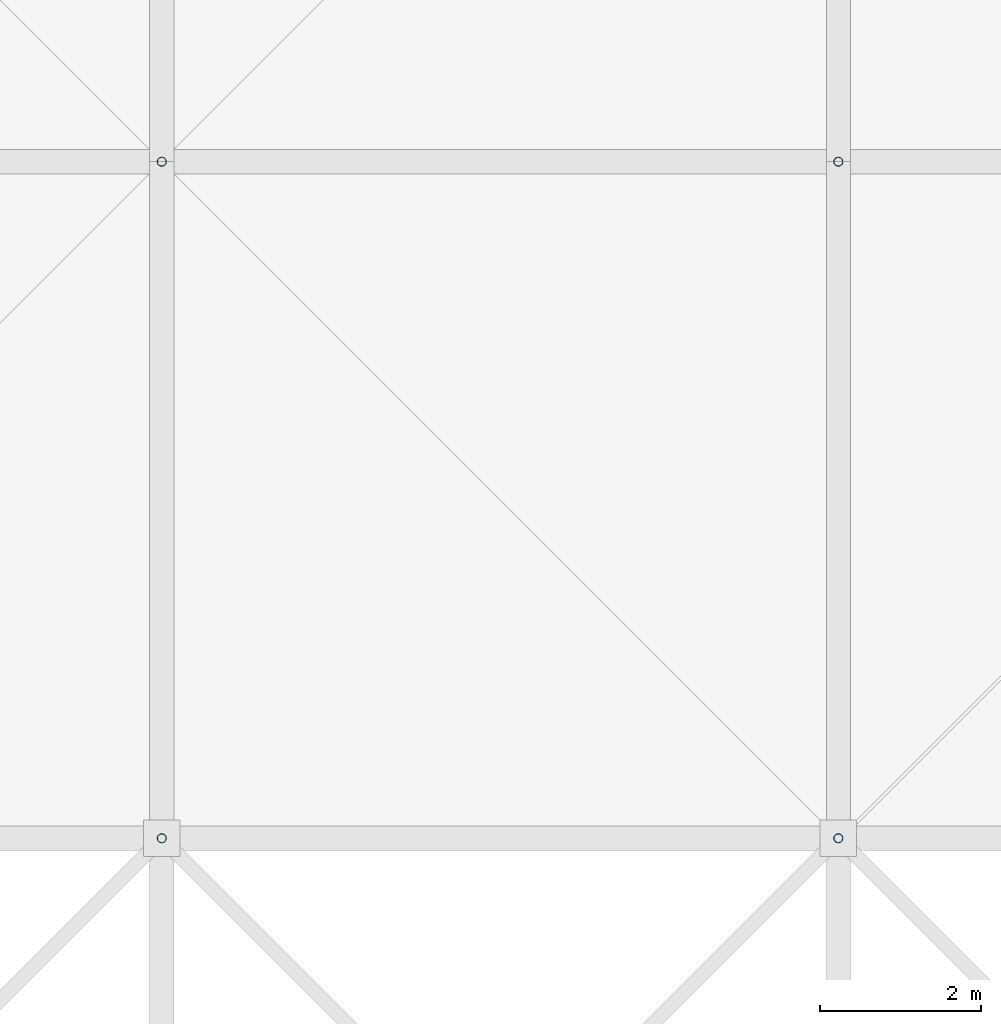
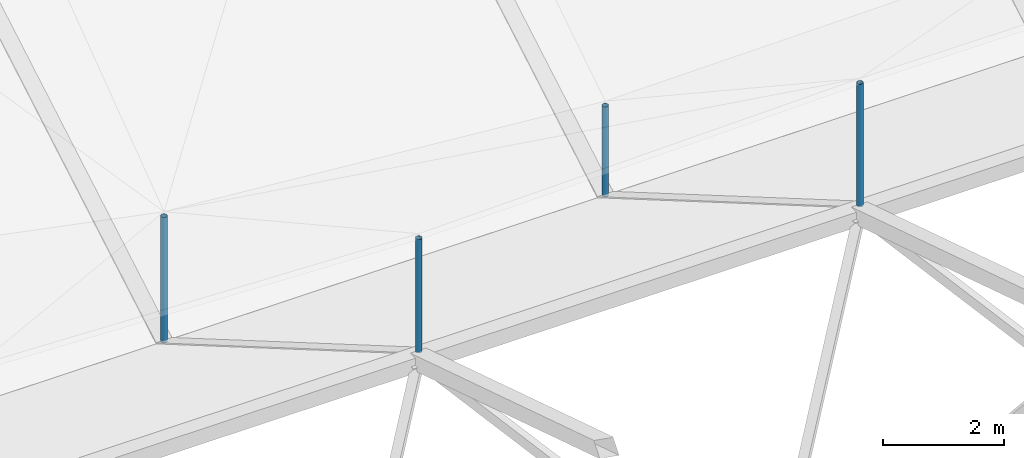
# One storey, part 83 of 111: 4 discrete accessories.
"""IFC4 building model written with IfcOpenShell, lengths in metres."""

import ifcopenshell
import ifcopenshell.guid

model = None  # the IFC model being written
_history = None  # IfcOwnerHistory: only IFC2X3 demands one
_inside = {}  # id of a spatial element -> (the spatial element, [elements in it])
_under = {}  # id of a project, library or spatial element -> (it, [spatial elements below it])
_declared = {}  # id of a project -> (the project, [libraries it declares])
_typed = {}  # id of a type object -> (the type object, [elements of that type])
_made_of = {}  # id of a material, layer set ... -> (it, [elements and type objects made of it])


def new_model(schema):
    """Start an empty IFC model of exactly this schema.

    Asked for "IFC4X3", IfcOpenShell would pick the latest addendum, in which some entities
    have other attributes; the version numbers below select the first issue.
    IFC2X3 requires an IfcOwnerHistory on every rooted entity: one is made here for all.
    """
    global model, _history
    if schema == "IFC4X3":
        model = ifcopenshell.file(schema_version=(4, 3, 0, 0))
    else:
        model = ifcopenshell.file(schema=schema)
    _inside.clear()
    _under.clear()
    _declared.clear()
    _typed.clear()
    _made_of.clear()
    _history = None
    if model.schema == "IFC2X3":
        org = make("IfcOrganization", Name="unknown")
        user = make(
            "IfcPersonAndOrganization",
            ThePerson=make("IfcPerson", FamilyName="unknown"),
            TheOrganization=org,
        )
        app = make(
            "IfcApplication",
            ApplicationDeveloper=org,
            Version="unknown",
            ApplicationFullName="unknown",
            ApplicationIdentifier="unknown",
        )
        _history = make(
            "IfcOwnerHistory",
            OwningUser=user,
            OwningApplication=app,
            ChangeAction="ADDED",
            CreationDate=0,
        )
    return model


def make(cls, **values):
    """One entity of the class cls with the attributes given. An attribute that is None is left unset."""
    return model.create_entity(
        cls, **{name: value for name, value in values.items() if value is not None}
    )


def rooted(cls, **values):
    """An entity with a GlobalId (a new one), such as an element, a storey or a relation."""
    return make(cls, GlobalId=ifcopenshell.guid.new(), OwnerHistory=_history, **values)


def si_unit(unit_type, name, prefix=None):
    """IfcSIUnit, for example si_unit("LENGTHUNIT", "METRE", prefix="MILLI")."""
    return make("IfcSIUnit", UnitType=unit_type, Prefix=prefix, Name=name)


def assignment(units):
    """IfcUnitAssignment: the units of a project."""
    return None if units is None else make("IfcUnitAssignment", Units=units)


def point(xyz):
    """IfcCartesianPoint."""
    return None if xyz is None else make("IfcCartesianPoint", Coordinates=xyz)


def direction(xyz):
    """IfcDirection."""
    return None if xyz is None else make("IfcDirection", DirectionRatios=xyz)


def frame(location, z_axis=None, x_axis=None):
    """IfcAxis2Placement3D, a coordinate frame: its origin and axes. An axis left out is left unset."""
    return make(
        "IfcAxis2Placement3D",
        Location=point(location),
        Axis=direction(z_axis),
        RefDirection=direction(x_axis),
    )


def frame_2d(location, x_axis=None):
    """IfcAxis2Placement2D, a coordinate frame in the plane: its origin and x axis."""
    return make(
        "IfcAxis2Placement2D", Location=point(location), RefDirection=direction(x_axis)
    )


def origin():
    """The frame at (0, 0, 0) with its axes left unset."""
    return frame((0.0, 0.0, 0.0))


def origin_2d():
    """The frame at (0, 0) in the plane with its x axis left unset."""
    return frame_2d((0.0, 0.0))


def place(relative_to, where):
    """IfcLocalPlacement: puts the frame where relative to a parent placement (None: the world)."""
    return make(
        "IfcLocalPlacement", PlacementRelTo=relative_to, RelativePlacement=where
    )


def context(
    kind, dimensions, precision=None, world=None, true_north=None, identifier=None
):
    """IfcGeometricRepresentationContext, for example the 3D "Model" context."""
    return make(
        "IfcGeometricRepresentationContext",
        ContextIdentifier=identifier,
        ContextType=kind,
        CoordinateSpaceDimension=dimensions,
        Precision=precision,
        WorldCoordinateSystem=world,
        TrueNorth=true_north,
    )


def subcontext(parent, identifier, kind, view, scale=None):
    """IfcGeometricRepresentationSubContext, for example "Body" below "Model"."""
    return make(
        "IfcGeometricRepresentationSubContext",
        ContextIdentifier=identifier,
        ContextType=kind,
        ParentContext=parent,
        TargetScale=scale,
        TargetView=view,
    )


def project(units=None, contexts=None):
    """IfcProject with its units and contexts."""
    return rooted(
        "IfcProject",
        Name="project",
        RepresentationContexts=contexts,
        UnitsInContext=assignment(units),
    )


def spatial(cls, under=None, at=None, **own):
    """A site, building, storey or space (cls), placed at a placement, below another one or the project."""
    s = rooted(cls, ObjectPlacement=at, **own)
    if under is not None:
        _under.setdefault(under.id(), (under, []))[1].append(s)
    return s


def profile(cls, at=None, kind="AREA", **sizes):
    """A parametric profile (cls). Its sizes go by their IFC names, for example OverallWidth=200.0."""
    return make(cls, ProfileType=kind, Position=at, **sizes)


def hollow_circle(**sizes):
    """IfcCircleHollowProfileDef."""
    return profile("IfcCircleHollowProfileDef", **sizes)


def extrude(swept, where, along, depth):
    """IfcExtrudedAreaSolid: the profile swept, set in the frame where, extruded along a direction by depth."""
    return make(
        "IfcExtrudedAreaSolid",
        SweptArea=swept,
        Position=where,
        ExtrudedDirection=direction(along),
        Depth=depth,
    )


def shape(context_of_items, identifier, shape_type, items):
    """IfcShapeRepresentation: the items that make up one representation, for example the "Body"."""
    return make(
        "IfcShapeRepresentation",
        ContextOfItems=context_of_items,
        RepresentationIdentifier=identifier,
        RepresentationType=shape_type,
        Items=items,
    )


def material(Name=None, Category=None):
    """IfcMaterial."""
    return make("IfcMaterial", Name=Name, Category=Category)


def material_profile(
    of_material, cross_section, Name=None, Category=None, Priority=None
):
    """IfcMaterialProfile: a cross section and its material."""
    return make(
        "IfcMaterialProfile",
        Name=Name,
        Material=of_material,
        Profile=cross_section,
        Priority=Priority,
        Category=Category,
    )


def profile_set(profiles, Name=None, composite=None):
    """IfcMaterialProfileSet."""
    return make(
        "IfcMaterialProfileSet",
        Name=Name,
        MaterialProfiles=profiles,
        CompositeProfile=composite,
    )


def made_of(thing, what):
    """Note that an element or type object is made of a material, layer set ...; save() writes the relation."""
    if what is not None:
        _made_of.setdefault(what.id(), (what, []))[1].append(thing)
    return thing


def type_object(cls, material=None, **own):
    """A type object (cls), such as IfcWallType, which elements share."""
    return made_of(rooted(cls, **own), material)


def element(
    cls,
    number,
    at=None,
    inside=None,
    cuts=None,
    type_object=None,
    material=None,
    context=None,
    identifier="Body",
    shape_type=None,
    held_by="IfcProductDefinitionShape",
    body=None,
    shapes=None,
    **own,
):
    """One element of the class cls, such as IfcWall. Its Tag is "e" and its number.

    at: its placement. inside: the storey or other place that contains it. cuts: it is an
    opening in that element (IfcRelVoidsElement). A single representation is given by context,
    identifier, shape_type and body (its items); several are given by shapes. held_by: the class
    of the entity that holds the representations. save() writes the other relations.
    """
    e = rooted(cls, Tag="e%d" % number, ObjectPlacement=at, **own)
    if body is not None:
        shapes = [shape(context, identifier, shape_type, body)]
    if shapes is not None:
        e.Representation = make(held_by, Representations=shapes)
    if inside is not None:
        _inside.setdefault(inside.id(), (inside, []))[1].append(e)
    if cuts is not None:
        rooted(
            "IfcRelVoidsElement", RelatingBuildingElement=cuts, RelatedOpeningElement=e
        )
    if type_object is not None:
        _typed.setdefault(type_object.id(), (type_object, []))[1].append(e)
    return made_of(e, material)


def aggregate(whole, parts):
    """IfcRelAggregates: a whole, such as a stair, and the parts it consists of."""
    return rooted("IfcRelAggregates", RelatingObject=whole, RelatedObjects=parts)


def save(model, path):
    """Write the relations noted so far, then the file.

    IfcRelAggregates (storeys below a building ...), IfcRelContainedInSpatialStructure (elements
    in a storey), IfcRelDefinesByType, IfcRelAssociatesMaterial and IfcRelDeclares: one each for
    every whole, place, type object, material and project.
    """
    for whole, parts in _under.values():
        aggregate(whole, parts)
    for where, things in _inside.values():
        rooted(
            "IfcRelContainedInSpatialStructure",
            RelatedElements=things,
            RelatingStructure=where,
        )
    for kind, things in _typed.values():
        rooted("IfcRelDefinesByType", RelatedObjects=things, RelatingType=kind)
    for what, things in _made_of.values():
        rooted("IfcRelAssociatesMaterial", RelatedObjects=things, RelatingMaterial=what)
    for by, libraries in _declared.values():
        rooted("IfcRelDeclares", RelatingContext=by, RelatedDefinitions=libraries)
    model.write(path)


model = new_model("IFC4")

# Units and contexts
model_context = context("Model", 3, precision=1e-05, world=origin(), true_north=direction((0.0, 1.0)))
body_context = subcontext(model_context, "Body", "Model", "MODEL_VIEW")
ifc_project = project(units=[si_unit("LENGTHUNIT", "METRE"), si_unit("AREAUNIT", "SQUARE_METRE"), si_unit("VOLUMEUNIT", "CUBIC_METRE"), si_unit("PLANEANGLEUNIT", "RADIAN"), si_unit("MASSUNIT", "GRAM", prefix="KILO")], contexts=[model_context])

# Site, building, storey
site_placement = place(None, origin())
site = spatial("IfcSite", under=ifc_project, at=site_placement, CompositionType="ELEMENT")
building_placement = place(site_placement, origin())
building = spatial("IfcBuilding", under=site, at=building_placement, Name="Rain Tree Exposition and Congress Centre", CompositionType="ELEMENT")
storey_placement = place(building_placement, frame((0.0, 0.0, 19.5)))
storey = spatial("IfcBuildingStorey", under=building, at=storey_placement, Name="RF", CompositionType="ELEMENT", Elevation=19.5)

# Discrete accessories
ifc_material = material(Name="Steel S355J2H", Category="steel")
ifc_material_profile = material_profile(ifc_material, hollow_circle(Radius=0.05712890625, WallThickness=0.00439453125, at=origin_2d()), Name="CHS 114x4.5")
ifc_profile_set = profile_set([ifc_material_profile], Name="Steel S355J2H")
discrete_accessory_type = type_object("IfcDiscreteAccessoryType", Name="Roof skin post CHS 114x4.5", PredefinedType="BRACKET", material=ifc_profile_set)
discrete_accessory_1_placement = place(storey_placement, frame((226.800048828125, 142.800048828125, 5.39404296875), z_axis=(0.0, 0.0, 1.0), x_axis=(1.0, 0.0, 0.0)))
element("IfcDiscreteAccessory", 1, at=discrete_accessory_1_placement, inside=storey, type_object=discrete_accessory_type, Name="Roof skin post B76", PredefinedType="BRACKET", context=body_context, shape_type="SweptSolid", body=[
    extrude(hollow_circle(Radius=0.05712890625, WallThickness=0.00439453125, at=origin_2d()), origin(), (0.0, 0.0, 1.0), 2.286865234375),
])
discrete_accessory_2_placement = place(storey_placement, frame((235.199951171875, 142.800048828125, 5.39404296875), z_axis=(0.0, 0.0, 1.0), x_axis=(1.0, 0.0, 0.0)))
element("IfcDiscreteAccessory", 2, at=discrete_accessory_2_placement, inside=storey, type_object=discrete_accessory_type, Name="Roof skin post B77", PredefinedType="BRACKET", context=body_context, shape_type="SweptSolid", body=[
    extrude(hollow_circle(Radius=0.05712890625, WallThickness=0.00439453125, at=origin_2d()), origin(), (0.0, 0.0, 1.0), 2.470458984375),
])
discrete_accessory_3_placement = place(storey_placement, frame((226.800048828125, 151.199951171875, 0.5), z_axis=(0.0, 0.0, 1.0), x_axis=(1.0, 0.0, 0.0)))
element("IfcDiscreteAccessory", 3, at=discrete_accessory_3_placement, inside=storey, type_object=discrete_accessory_type, Name="Roof skin post B89", PredefinedType="BRACKET", context=body_context, shape_type="SweptSolid", body=[
    extrude(hollow_circle(Radius=0.05712890625, WallThickness=0.00439453125, at=origin_2d()), origin(), (0.0, 0.0, 1.0), 2.529052734375),
])
discrete_accessory_4_placement = place(storey_placement, frame((235.199951171875, 151.199951171875, 0.5), z_axis=(0.0, 0.0, 1.0), x_axis=(1.0, 0.0, 0.0)))
element("IfcDiscreteAccessory", 4, at=discrete_accessory_4_placement, inside=storey, type_object=discrete_accessory_type, Name="Roof skin post B90", PredefinedType="BRACKET", context=body_context, shape_type="SweptSolid", body=[
    extrude(hollow_circle(Radius=0.05712890625, WallThickness=0.00439453125, at=origin_2d()), origin(), (0.0, 0.0, 1.0), 1.81298828125),
])

save(model, "model.ifc")
